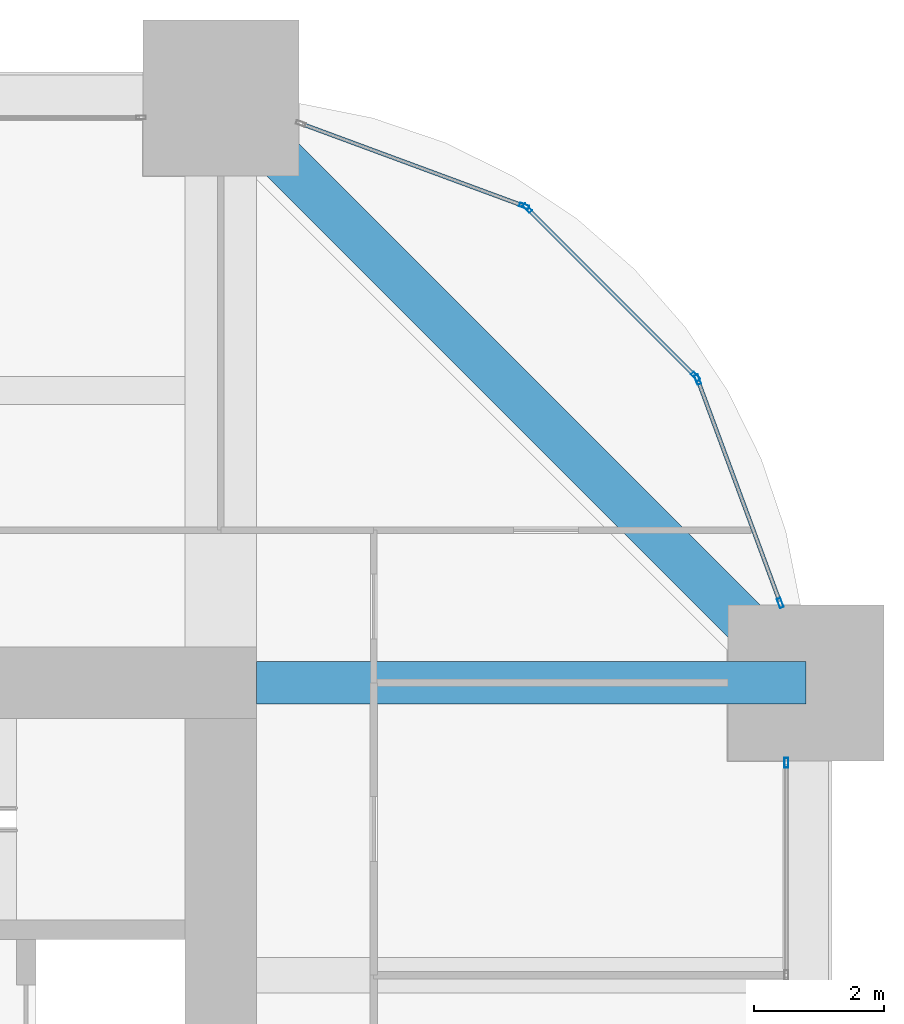
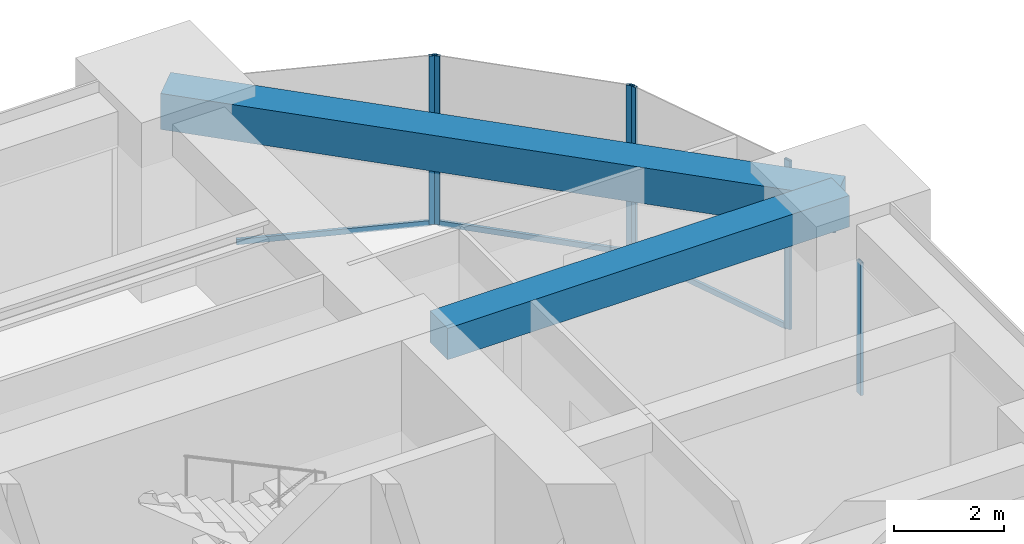
# One storey, part 27 of 34: 9 members, 2 beams, 4 elements without a shape of their own.
"""IFC4 building model written with IfcOpenShell, lengths in metres."""

from ifc_helpers import new_model, si_unit, direction, frame, origin, origin_2d, place, context, subcontext, project, spatial, rectangle, hollow_rectangle, extrude, material, material_profile, profile_set, type_object, element, aggregate, save


model = new_model("IFC4")

# Units and contexts
model_context = context("Model", 3, precision=1e-05, world=origin(), true_north=direction((0.0, 1.0)))
body_context = subcontext(model_context, "Body", "Model", "MODEL_VIEW")
ifc_project = project(units=[si_unit("LENGTHUNIT", "METRE"), si_unit("AREAUNIT", "SQUARE_METRE"), si_unit("VOLUMEUNIT", "CUBIC_METRE"), si_unit("PLANEANGLEUNIT", "RADIAN"), si_unit("MASSUNIT", "GRAM", prefix="KILO")], contexts=[model_context])

# Site, building, storey
site_placement = place(None, origin())
site = spatial("IfcSite", under=ifc_project, at=site_placement, CompositionType="ELEMENT")
building_placement = place(site_placement, origin())
building = spatial("IfcBuilding", under=site, at=building_placement, Name="Zorevar Civic Tower", CompositionType="ELEMENT")
storey_placement = place(building_placement, frame((0.0, 0.0, 174.199951171875)))
storey = spatial("IfcBuildingStorey", under=building, at=storey_placement, Name="L42", CompositionType="ELEMENT", Elevation=174.199951171875)

# Beam
ifc_material_1 = material(Name="Concrete C50/60", Category="concrete")
ifc_material_profile_1 = material_profile(ifc_material_1, rectangle(XDim=0.64990234375, YDim=0.699951171875, at=origin_2d()), Name="RC 650x700")
ifc_profile_set_1 = profile_set([ifc_material_profile_1], Name="Concrete C50/60")
beam_type_1 = type_object("IfcBeamType", Name="Beam RC 650x700", PredefinedType="BEAM", material=ifc_profile_set_1)
beam_1_placement = place(storey_placement, frame((45.550048828125, 36.0, 3.400146484375), z_axis=(1.0, 0.0, 0.0), x_axis=(0.0, 1.0, 0.0)))
element("IfcBeam", 1, at=beam_1_placement, inside=storey, type_object=beam_type_1, Name="Girder L43", PredefinedType="BEAM", context=body_context, shape_type="SweptSolid", body=[
    extrude(rectangle(XDim=0.64990234375, YDim=0.699951171875, at=origin_2d()), origin(), (0.0, 0.0, 1.0), 8.449951171875),
])

# Curtain wall, member
ifc_material_2 = material(Name="Dark grey solar-control glass in black aluminium frame", Category="aluminium")
curtain_wall_type = type_object("IfcCurtainWallType", Name="Curtain wall CW4 high zone", PredefinedType="NOTDEFINED", material=ifc_material_2)
curtain_wall_1_placement = place(storey_placement, origin())
curtain_wall_1 = element("IfcCurtainWall", 2, at=curtain_wall_1_placement, inside=storey, type_object=curtain_wall_type, Name="CW4 L42", PredefinedType="NOTDEFINED")
ifc_material_3 = material(Name="Aluminium, black anodised", Category="aluminium")
ifc_material_profile_2 = material_profile(ifc_material_3, hollow_rectangle(XDim=0.06005859375, YDim=0.14990234375, WallThickness=0.00390625, at=origin_2d()), Name="AL 150x60x4")
ifc_profile_set_2 = profile_set([ifc_material_profile_2], Name="Aluminium, black anodised")
member_type_1 = type_object("IfcMemberType", Name="CW4 mullion AL 150x60x4", PredefinedType="MULLION", material=ifc_profile_set_2)
member_1_placement = place(storey_placement, frame((53.699951171875, 34.77001953125, 0.0), z_axis=(0.0, 0.0, 1.0), x_axis=(-1.0, 0.0, 0.0)))
member_1 = element("IfcMember", 3, at=member_1_placement, type_object=member_type_1, Name="CW4 mullion 3", PredefinedType="MULLION", context=body_context, shape_type="SweptSolid", body=[
    extrude(hollow_rectangle(XDim=0.06005859375, YDim=0.14990234375, WallThickness=0.00390625, at=origin_2d()), origin(), (0.0, 0.0, 1.0), 2.949951171875),
])
aggregate(curtain_wall_1, [member_1])

# Curtain wall, members
curtain_wall_2_placement = place(storey_placement, origin())
curtain_wall_2 = element("IfcCurtainWall", 4, at=curtain_wall_2_placement, inside=storey, type_object=curtain_wall_type, Name="CW4 L42", PredefinedType="NOTDEFINED")
member_2_placement = place(storey_placement, frame((53.6064453125, 37.22802734375, 0.0), z_axis=(0.0, 0.0, 1.0), x_axis=(-0.937974588163, -0.346704012033, 0.0)))
member_2 = element("IfcMember", 5, at=member_2_placement, type_object=member_type_1, Name="CW4 mullion 1", PredefinedType="MULLION", context=body_context, shape_type="SweptSolid", body=[
    extrude(hollow_rectangle(XDim=0.06005859375, YDim=0.14990234375, WallThickness=0.00390625, at=origin_2d()), origin(), (0.0, 0.0, 1.0), 3.75),
])
member_3_placement = place(storey_placement, frame((52.336181640625, 40.66455078125, 0.0), z_axis=(0.0, 0.0, 1.0), x_axis=(-0.937974588163, -0.346704012033, 0.0)))
member_3 = element("IfcMember", 6, at=member_3_placement, type_object=member_type_1, Name="CW4 mullion 2", PredefinedType="MULLION", context=body_context, shape_type="SweptSolid", body=[
    extrude(hollow_rectangle(XDim=0.06005859375, YDim=0.14990234375, WallThickness=0.00390625, at=origin_2d()), origin(), (0.0, 0.0, 1.0), 3.75),
])

curtain_wall_3_placement = place(storey_placement, origin())
curtain_wall_3 = element("IfcCurtainWall", 7, at=curtain_wall_3_placement, inside=storey, type_object=curtain_wall_type, Name="CW4 L42", PredefinedType="NOTDEFINED")
member_4_placement = place(storey_placement, frame((52.3046875, 40.7138671875, 0.0), z_axis=(0.0, 0.0, 1.0), x_axis=(-0.707106781187, -0.707106781187, 0.0)))
member_4 = element("IfcMember", 8, at=member_4_placement, type_object=member_type_1, Name="CW4 mullion 1", PredefinedType="MULLION", context=body_context, shape_type="SweptSolid", body=[
    extrude(hollow_rectangle(XDim=0.06005859375, YDim=0.14990234375, WallThickness=0.00390625, at=origin_2d()), origin(), (0.0, 0.0, 1.0), 3.75),
])
member_5_placement = place(storey_placement, frame((49.7138671875, 43.3046875, 0.0), z_axis=(0.0, 0.0, 1.0), x_axis=(-0.707106781187, -0.707106781187, 0.0)))
member_5 = element("IfcMember", 9, at=member_5_placement, type_object=member_type_1, Name="CW4 mullion 2", PredefinedType="MULLION", context=body_context, shape_type="SweptSolid", body=[
    extrude(hollow_rectangle(XDim=0.06005859375, YDim=0.14990234375, WallThickness=0.00390625, at=origin_2d()), origin(), (0.0, 0.0, 1.0), 3.75),
])

# Curtain wall, member
curtain_wall_4_placement = place(storey_placement, origin())
curtain_wall_4 = element("IfcCurtainWall", 10, at=curtain_wall_4_placement, inside=storey, type_object=curtain_wall_type, Name="CW4 L42", PredefinedType="NOTDEFINED")
member_6_placement = place(storey_placement, frame((49.66455078125, 43.336181640625, 0.0), z_axis=(0.0, 0.0, 1.0), x_axis=(-0.346704012033, -0.937974588163, 0.0)))
member_6 = element("IfcMember", 11, at=member_6_placement, type_object=member_type_1, Name="CW4 mullion 1", PredefinedType="MULLION", context=body_context, shape_type="SweptSolid", body=[
    extrude(hollow_rectangle(XDim=0.06005859375, YDim=0.14990234375, WallThickness=0.00390625, at=origin_2d()), origin(), (0.0, 0.0, 1.0), 3.75),
])

# Member
ifc_material_4 = material(Name="Aluminium, black anodised", Category="aluminium")
ifc_material_profile_3 = material_profile(ifc_material_4, hollow_rectangle(XDim=0.06005859375, YDim=0.1201171875, WallThickness=0.0029296875, at=origin_2d()), Name="AL 120x60x3")
ifc_profile_set_3 = profile_set([ifc_material_profile_3], Name="Aluminium, black anodised")
member_type_2 = type_object("IfcMemberType", Name="CW4 transom AL 120x60x3", PredefinedType="USERDEFINED", material=ifc_profile_set_3)
member_7_placement = place(storey_placement, frame((53.595947265625, 37.25634765625, 0.030029296875), z_axis=(-0.346672169799, 0.93798635741, 0.0), x_axis=(-0.93798635741, -0.346672169799, 0.0)))
member_7 = element("IfcMember", 12, at=member_7_placement, type_object=member_type_2, Name="CW4 sill transom", ObjectType="TRANSOM", PredefinedType="USERDEFINED", context=body_context, shape_type="SweptSolid", body=[
    extrude(hollow_rectangle(XDim=0.06005859375, YDim=0.1201171875, WallThickness=0.0029296875, at=origin_2d()), origin(), (0.0, 0.0, 1.0), 3.603515625),
])

aggregate(curtain_wall_2, [member_2, member_3, member_7])

member_8_placement = place(storey_placement, frame((52.283447265625, 40.735107421875, 0.030029296875), z_axis=(-0.707106781187, 0.707106781187, 0.0), x_axis=(-0.707106781187, -0.707106781187, 0.0)))
member_8 = element("IfcMember", 13, at=member_8_placement, type_object=member_type_2, Name="CW4 sill transom", ObjectType="TRANSOM", PredefinedType="USERDEFINED", context=body_context, shape_type="SweptSolid", body=[
    extrude(hollow_rectangle(XDim=0.06005859375, YDim=0.1201171875, WallThickness=0.0029296875, at=origin_2d()), origin(), (0.0, 0.0, 1.0), 3.60400390625),
])

aggregate(curtain_wall_3, [member_4, member_5, member_8])

member_9_placement = place(storey_placement, frame((49.636474609375, 43.3466796875, 0.030029296875), z_axis=(-0.93798635741, 0.346672169799, 0.0), x_axis=(-0.346672169799, -0.93798635741, 0.0)))
member_9 = element("IfcMember", 14, at=member_9_placement, type_object=member_type_2, Name="CW4 sill transom", ObjectType="TRANSOM", PredefinedType="USERDEFINED", context=body_context, shape_type="SweptSolid", body=[
    extrude(hollow_rectangle(XDim=0.06005859375, YDim=0.1201171875, WallThickness=0.0029296875, at=origin_2d()), origin(), (0.0, 0.0, 1.0), 3.603515625),
])

aggregate(curtain_wall_4, [member_6, member_9])

# Beam
ifc_material_5 = material(Name="Concrete C50/60", Category="concrete")
ifc_material_profile_4 = material_profile(ifc_material_5, rectangle(XDim=0.699951171875, YDim=0.800048828125, at=origin_2d()), Name="RC 700x800")
ifc_profile_set_4 = profile_set([ifc_material_profile_4], Name="Concrete C50/60")
beam_type_2 = type_object("IfcBeamType", Name="Edge beam RC 700x800", PredefinedType="SPANDREL", material=ifc_profile_set_4)
beam_2_placement = place(storey_placement, frame((54.0, 36.0, 3.35009765625), z_axis=(-0.707106781187, 0.707106781187, 0.0), x_axis=(-0.707106781187, -0.707106781187, 0.0)))
element("IfcBeam", 15, at=beam_2_placement, inside=storey, type_object=beam_type_2, Name="Corner edge beam L43", PredefinedType="SPANDREL", context=body_context, shape_type="SweptSolid", body=[
    extrude(rectangle(XDim=0.699951171875, YDim=0.800048828125, at=origin_2d()), origin(), (0.0, 0.0, 1.0), 12.72802734375),
])

save(model, "model.ifc")
